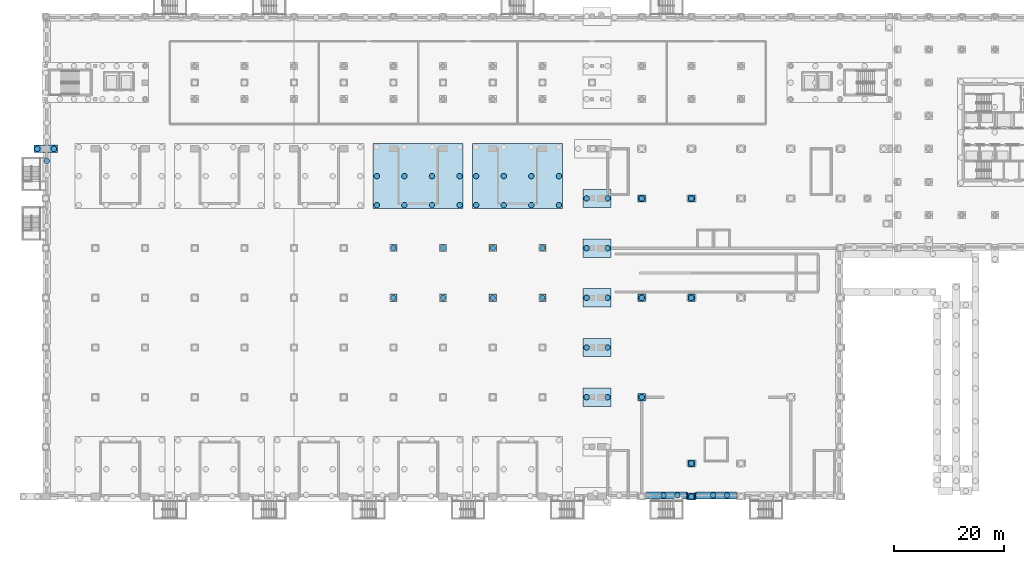
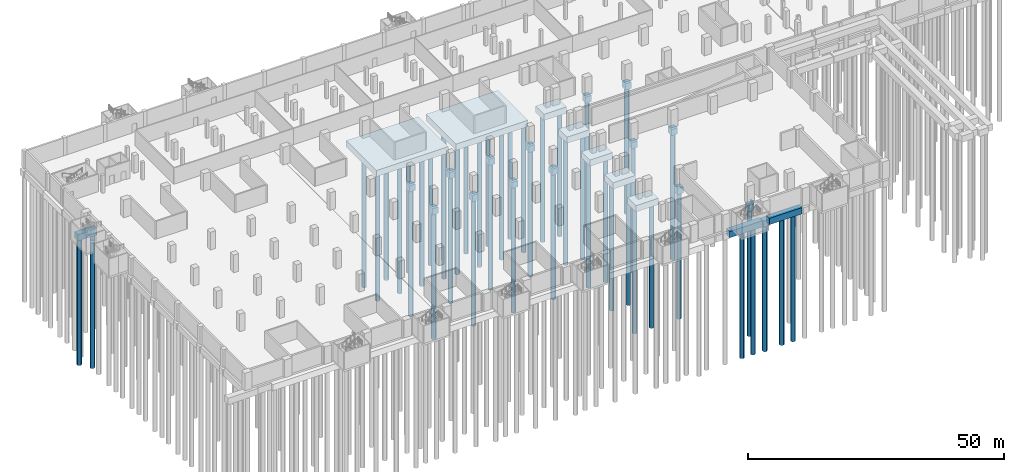
# One storey, part 2 of 29: 48 piles, 27 footings.
"""IFC4 building model written with IfcOpenShell, lengths in metres."""

from ifc_helpers import new_model, si_unit, direction, frame, origin, origin_2d, place, context, subcontext, project, spatial, rectangle, circle, extrude, material, material_profile, profile_set, type_object, element, save


model = new_model("IFC4")

# Units and contexts
model_context = context("Model", 3, precision=1e-05, world=origin(), true_north=direction((0.0, 1.0)))
body_context = subcontext(model_context, "Body", "Model", "MODEL_VIEW")
ifc_project = project(units=[si_unit("LENGTHUNIT", "METRE"), si_unit("AREAUNIT", "SQUARE_METRE"), si_unit("VOLUMEUNIT", "CUBIC_METRE"), si_unit("PLANEANGLEUNIT", "RADIAN"), si_unit("MASSUNIT", "GRAM", prefix="KILO")], contexts=[model_context])

# Site, building, storey
site_placement = place(None, origin())
site = spatial("IfcSite", under=ifc_project, at=site_placement, CompositionType="ELEMENT")
building_placement = place(site_placement, origin())
building = spatial("IfcBuilding", under=site, at=building_placement, Name="Aravalli Gate Trade Fair Centre", CompositionType="ELEMENT")
storey_placement = place(building_placement, frame((0.0, 0.0, -8.39990234375)))
storey = spatial("IfcBuildingStorey", under=building, at=storey_placement, Name="B2", CompositionType="ELEMENT", Elevation=-8.39990234375)

# Piles
ifc_material = material(Name="Concrete M35", Category="concrete")
ifc_material_profile = material_profile(ifc_material, circle(Radius=0.5, at=origin_2d()), Name="D1000")
ifc_profile_set = profile_set([ifc_material_profile], Name="Concrete M35")
pile_type = type_object("IfcPileType", Name="Basement bored pile D1000", PredefinedType="BORED", material=ifc_profile_set)
for number, where, z_axis, x_axis, name in (
    (1, (123.0, 46.0, -1.900146484375), (0.0, 0.0, -1.0), (1.0, 0.0, 0.0), "Basement bored pile W098-01"),
    (2, (117.949951171875, 46.199951171875, -1.900146484375), (0.0, 0.0, -1.0), (1.0, 0.0, 0.0), "Basement bored pile W110-01"),
    (3, (120.449951171875, 46.199951171875, -1.900146484375), (0.0, 0.0, -1.0), (1.0, 0.0, 0.0), "Basement bored pile W110-02"),
    (4, (126.949951171875, 46.199951171875, -1.900146484375), (0.0, 0.0, -1.0), (1.0, 0.0, 0.0), "Basement bored pile W111-01"),
    (5, (129.449951171875, 46.199951171875, -1.900146484375), (0.0, 0.0, -1.0), (1.0, 0.0, 0.0), "Basement bored pile W111-02"),
    (6, (123.0, 52.0, -1.900146484375), (0.0, 0.0, -1.0), (1.0, 0.0, 0.0), "Basement bored pile W117-01"),
    (7, (104.0, 64.0, -1.900146484375), (0.0, 0.0, -1.0), (1.0, 0.0, 0.0), "Basement bored pile W124-01"),
    (8, (107.800048828125, 64.0, -1.900146484375), (0.0, 0.0, -1.0), (1.0, 0.0, 0.0), "Basement bored pile W124-02"),
    (9, (114.0, 64.0, -1.900146484375), (0.0, 0.0, -1.0), (1.0, 0.0, 0.0), "Basement bored pile W136-01"),
    (10, (104.0, 73.0, -1.900146484375), (0.0, 0.0, -1.0), (1.0, 0.0, 0.0), "Basement bored pile W141-01"),
    (11, (107.800048828125, 73.0, -1.900146484375), (0.0, 0.0, -1.0), (1.0, 0.0, 0.0), "Basement bored pile W141-02"),
    (12, (104.0, 82.0, -1.900146484375), (0.0, 0.0, -1.0), (1.0, 0.0, 0.0), "Basement bored pile W156-01"),
    (13, (107.800048828125, 82.0, -1.900146484375), (0.0, 0.0, -1.0), (1.0, 0.0, 0.0), "Basement bored pile W156-02"),
    (14, (69.0, 82.0, -1.900146484375), (0.0, 0.0, -1.0), (1.0, 0.0, 0.0), "Basement bored pile W164-01"),
    (15, (78.0, 82.0, -1.900146484375), (0.0, 0.0, -1.0), (1.0, 0.0, 0.0), "Basement bored pile W165-01"),
    (16, (87.0, 82.0, -1.900146484375), (0.0, 0.0, -1.0), (1.0, 0.0, 0.0), "Basement bored pile W166-01"),
    (17, (96.0, 82.0, -1.900146484375), (0.0, 0.0, -1.0), (1.0, 0.0, 0.0), "Basement bored pile W167-01"),
    (18, (114.0, 82.0, -1.900146484375), (0.0, 0.0, -1.0), (1.0, 0.0, 0.0), "Basement bored pile W168-01"),
    (19, (123.0, 82.0, -1.900146484375), (0.0, 0.0, -1.0), (1.0, 0.0, 0.0), "Basement bored pile W169-01"),
    (20, (104.0, 91.0, -1.900146484375), (0.0, 0.0, -1.0), (1.0, 0.0, 0.0), "Basement bored pile W177-01"),
    (21, (107.800048828125, 91.0, -1.900146484375), (0.0, 0.0, -1.0), (1.0, 0.0, 0.0), "Basement bored pile W177-02"),
    (22, (69.0, 91.0, -1.900146484375), (0.0, 0.0, -1.0), (1.0, 0.0, 0.0), "Basement bored pile W185-01"),
    (23, (78.0, 91.0, -1.900146484375), (0.0, 0.0, -1.0), (1.0, 0.0, 0.0), "Basement bored pile W186-01"),
    (24, (87.0, 91.0, -1.900146484375), (0.0, 0.0, -1.0), (1.0, 0.0, 0.0), "Basement bored pile W187-01"),
    (25, (96.0, 91.0, -1.900146484375), (0.0, 0.0, -1.0), (1.0, 0.0, 0.0), "Basement bored pile W188-01"),
    (26, (66.0, 98.800048828125, -1.900146484375), (0.0, 0.0, -1.0), (1.0, 0.0, 0.0), "Basement bored pile W196-01"),
    (27, (66.0, 104.050048828125, -1.900146484375), (0.0, 0.0, -1.0), (1.0, 0.0, 0.0), "Basement bored pile W196-02"),
    (28, (71.0, 98.800048828125, -1.900146484375), (0.0, 0.0, -1.0), (1.0, 0.0, 0.0), "Basement bored pile W196-04"),
    (29, (71.0, 104.050048828125, -1.900146484375), (0.0, 0.0, -1.0), (1.0, 0.0, 0.0), "Basement bored pile W196-05"),
    (30, (76.0, 98.800048828125, -1.900146484375), (0.0, 0.0, -1.0), (1.0, 0.0, 0.0), "Basement bored pile W196-07"),
    (31, (76.0, 104.050048828125, -1.900146484375), (0.0, 0.0, -1.0), (1.0, 0.0, 0.0), "Basement bored pile W196-08"),
    (32, (81.0, 98.800048828125, -1.900146484375), (0.0, 0.0, -1.0), (1.0, 0.0, 0.0), "Basement bored pile W196-10"),
    (33, (81.0, 104.050048828125, -1.900146484375), (0.0, 0.0, -1.0), (1.0, 0.0, 0.0), "Basement bored pile W196-11"),
    (34, (84.0, 98.800048828125, -1.900146484375), (0.0, 0.0, -1.0), (1.0, 0.0, 0.0), "Basement bored pile W197-01"),
    (35, (84.0, 104.050048828125, -1.900146484375), (0.0, 0.0, -1.0), (1.0, 0.0, 0.0), "Basement bored pile W197-02"),
    (36, (89.0, 98.800048828125, -1.900146484375), (0.0, 0.0, -1.0), (1.0, 0.0, 0.0), "Basement bored pile W197-04"),
    (37, (89.0, 104.050048828125, -1.900146484375), (0.0, 0.0, -1.0), (1.0, 0.0, 0.0), "Basement bored pile W197-05"),
    (38, (94.0, 98.800048828125, -1.900146484375), (0.0, 0.0, -1.0), (1.0, 0.0, 0.0), "Basement bored pile W197-07"),
    (39, (94.0, 104.050048828125, -1.900146484375), (0.0, 0.0, -1.0), (1.0, 0.0, 0.0), "Basement bored pile W197-08"),
    (40, (99.0, 98.800048828125, -1.900146484375), (0.0, 0.0, -1.0), (1.0, 0.0, 0.0), "Basement bored pile W197-10"),
    (41, (99.0, 104.050048828125, -1.900146484375), (0.0, 0.0, -1.0), (1.0, 0.0, 0.0), "Basement bored pile W197-11"),
    (42, (104.0, 100.0, -1.900146484375), (0.0, 0.0, -1.0), (1.0, 0.0, 0.0), "Basement bored pile W198-01"),
    (43, (107.800048828125, 100.0, -1.900146484375), (0.0, 0.0, -1.0), (1.0, 0.0, 0.0), "Basement bored pile W198-02"),
    (44, (114.0, 100.0, -1.900146484375), (0.0, 0.0, -1.0), (1.0, 0.0, 0.0), "Basement bored pile W200-01"),
    (45, (123.0, 100.0, -1.900146484375), (0.0, 0.0, -1.0), (1.0, 0.0, 0.0), "Basement bored pile W201-01"),
    (46, (6.199951171875, 106.800048828125, -1.900146484375), (0.0, 0.0, -1.0), (1.0, 0.0, 0.0), "Basement bored pile W207-02"),
    (47, (4.5, 109.0, -1.900146484375), (0.0, 0.0, -1.0), (1.0, 0.0, 0.0), "Basement bored pile W209-01"),
    (48, (7.5, 109.0, -1.900146484375), (0.0, 0.0, -1.0), (1.0, 0.0, 0.0), "Basement bored pile W209-02"),
):
    element("IfcPile", number, at=place(storey_placement, frame(where, z_axis=z_axis, x_axis=x_axis)), inside=storey, type_object=pile_type, Name=name, PredefinedType="BORED", context=body_context, shape_type="SweptSolid", body=[
        extrude(circle(Radius=0.5, at=origin_2d()), origin(), (0.0, 0.0, 1.0), 30.0),
    ])

# Footings
footing_type_1 = type_object("IfcFootingType", Name="Basement ground beam 0.15 x 1.1", PredefinedType="FOOTING_BEAM", material=ifc_material)
for number, where, z_axis, x_axis, name in (
    (49, (122.27490234375, 46.10009765625, -1.900146484375), (0.0, 0.0, 1.0), (1.0, 0.0, 0.0), "Basement pile cap W296"),
    (50, (123.72509765625, 46.10009765625, -1.900146484375), (0.0, 0.0, 1.0), (1.0, 0.0, 0.0), "Basement pile cap W297"),
):
    element("IfcFooting", number, at=place(storey_placement, frame(where, z_axis=z_axis, x_axis=x_axis)), inside=storey, type_object=footing_type_1, Name=name, PredefinedType="FOOTING_BEAM", context=body_context, shape_type="SweptSolid", body=[
        extrude(rectangle(XDim=0.14990234375, YDim=1.10009765625, at=origin_2d()), origin(), (0.0, 0.0, 1.0), 1.5),
    ])
footing_type_2 = type_object("IfcFootingType", Name="Basement pile cap 1.3 x 1.3 (1 x 1 piles)", PredefinedType="PILE_CAP", material=ifc_material)
for number, where, z_axis, x_axis, name in (
    (51, (123.0, 46.0, -1.900146484375), (0.0, 0.0, 1.0), (1.0, 0.0, 0.0), "Basement pile cap W098"),
    (52, (123.0, 52.0, -1.900146484375), (0.0, 0.0, 1.0), (1.0, 0.0, 0.0), "Basement pile cap W117"),
    (53, (114.0, 64.0, -1.900146484375), (0.0, 0.0, 1.0), (1.0, 0.0, 0.0), "Basement pile cap W136"),
    (54, (69.0, 82.0, -1.900146484375), (0.0, 0.0, 1.0), (1.0, 0.0, 0.0), "Basement pile cap W164"),
    (55, (78.0, 82.0, -1.900146484375), (0.0, 0.0, 1.0), (1.0, 0.0, 0.0), "Basement pile cap W165"),
    (56, (87.0, 82.0, -1.900146484375), (0.0, 0.0, 1.0), (1.0, 0.0, 0.0), "Basement pile cap W166"),
    (57, (96.0, 82.0, -1.900146484375), (0.0, 0.0, 1.0), (1.0, 0.0, 0.0), "Basement pile cap W167"),
    (58, (114.0, 82.0, -1.900146484375), (0.0, 0.0, 1.0), (1.0, 0.0, 0.0), "Basement pile cap W168"),
    (59, (123.0, 82.0, -1.900146484375), (0.0, 0.0, 1.0), (1.0, 0.0, 0.0), "Basement pile cap W169"),
    (60, (69.0, 91.0, -1.900146484375), (0.0, 0.0, 1.0), (1.0, 0.0, 0.0), "Basement pile cap W185"),
    (61, (78.0, 91.0, -1.900146484375), (0.0, 0.0, 1.0), (1.0, 0.0, 0.0), "Basement pile cap W186"),
    (62, (87.0, 91.0, -1.900146484375), (0.0, 0.0, 1.0), (1.0, 0.0, 0.0), "Basement pile cap W187"),
    (63, (96.0, 91.0, -1.900146484375), (0.0, 0.0, 1.0), (1.0, 0.0, 0.0), "Basement pile cap W188"),
    (64, (114.0, 100.0, -1.900146484375), (0.0, 0.0, 1.0), (1.0, 0.0, 0.0), "Basement pile cap W200"),
    (65, (123.0, 100.0, -1.900146484375), (0.0, 0.0, 1.0), (1.0, 0.0, 0.0), "Basement pile cap W201"),
):
    element("IfcFooting", number, at=place(storey_placement, frame(where, z_axis=z_axis, x_axis=x_axis)), inside=storey, type_object=footing_type_2, Name=name, PredefinedType="PILE_CAP", context=body_context, shape_type="SweptSolid", body=[
        extrude(rectangle(XDim=1.300048828125, YDim=1.300048828125, at=origin_2d()), origin(), (0.0, 0.0, 1.0), 1.5),
    ])
footing_type_3 = type_object("IfcFootingType", Name="Basement pile cap 16.3 x 11.8 (4 x 3 piles)", PredefinedType="PILE_CAP", material=ifc_material)
for number, where, z_axis, x_axis, name in (
    (66, (73.5, 104.050048828125, -1.900146484375), (0.0, 0.0, 1.0), (1.0, 0.0, 0.0), "Basement pile cap W196"),
    (67, (91.5, 104.050048828125, -1.900146484375), (0.0, 0.0, 1.0), (1.0, 0.0, 0.0), "Basement pile cap W197"),
):
    element("IfcFooting", number, at=place(storey_placement, frame(where, z_axis=z_axis, x_axis=x_axis)), inside=storey, type_object=footing_type_3, Name=name, PredefinedType="PILE_CAP", context=body_context, shape_type="SweptSolid", body=[
        extrude(rectangle(XDim=16.300048828125, YDim=11.800048828125, at=origin_2d()), origin(), (0.0, 0.0, 1.0), 1.5),
    ])
footing_type_4 = type_object("IfcFootingType", Name="Basement pile cap 4.3 x 1.3 (2 x 1 piles)", PredefinedType="PILE_CAP", material=ifc_material)
footing_placement = place(storey_placement, frame((6.0, 109.0, -1.900146484375), z_axis=(0.0, 0.0, 1.0), x_axis=(1.0, 0.0, 0.0)))
element("IfcFooting", 68, at=footing_placement, inside=storey, type_object=footing_type_4, Name="Basement pile cap W209", PredefinedType="PILE_CAP", context=body_context, shape_type="SweptSolid", body=[
    extrude(rectangle(XDim=4.300048828125, YDim=1.300048828125, at=origin_2d()), origin(), (0.0, 0.0, 1.0), 1.5),
])
footing_type_5 = type_object("IfcFootingType", Name="Basement pile cap 5.1 x 3.3 (2 x 1 piles)", PredefinedType="PILE_CAP", material=ifc_material)
for number, where, z_axis, x_axis, name in (
    (69, (105.89990234375, 64.0, -1.900146484375), (0.0, 0.0, 1.0), (1.0, 0.0, 0.0), "Basement pile cap W124"),
    (70, (105.89990234375, 73.0, -1.900146484375), (0.0, 0.0, 1.0), (1.0, 0.0, 0.0), "Basement pile cap W141"),
    (71, (105.89990234375, 82.0, -1.900146484375), (0.0, 0.0, 1.0), (1.0, 0.0, 0.0), "Basement pile cap W156"),
    (72, (105.89990234375, 91.0, -1.900146484375), (0.0, 0.0, 1.0), (1.0, 0.0, 0.0), "Basement pile cap W177"),
    (73, (105.89990234375, 100.0, -1.900146484375), (0.0, 0.0, 1.0), (1.0, 0.0, 0.0), "Basement pile cap W198"),
):
    element("IfcFooting", number, at=place(storey_placement, frame(where, z_axis=z_axis, x_axis=x_axis)), inside=storey, type_object=footing_type_5, Name=name, PredefinedType="PILE_CAP", context=body_context, shape_type="SweptSolid", body=[
        extrude(rectangle(XDim=5.10009765625, YDim=3.300048828125, at=origin_2d()), origin(), (0.0, 0.0, 1.0), 1.5),
    ])
footing_type_6 = type_object("IfcFootingType", Name="Basement pile cap 7.4 x 1.3 (2 x 1 piles)", PredefinedType="PILE_CAP", material=ifc_material)
for number, where, z_axis, x_axis, name in (
    (74, (118.5, 46.199951171875, -1.900146484375), (0.0, 0.0, 1.0), (1.0, 0.0, 0.0), "Basement pile cap W110"),
    (75, (127.5, 46.199951171875, -1.900146484375), (0.0, 0.0, 1.0), (1.0, 0.0, 0.0), "Basement pile cap W111"),
):
    element("IfcFooting", number, at=place(storey_placement, frame(where, z_axis=z_axis, x_axis=x_axis)), inside=storey, type_object=footing_type_6, Name=name, PredefinedType="PILE_CAP", context=body_context, shape_type="SweptSolid", body=[
        extrude(rectangle(XDim=7.39990234375, YDim=1.300048828125, at=origin_2d()), origin(), (0.0, 0.0, 1.0), 1.5),
    ])

save(model, "model.ifc")
